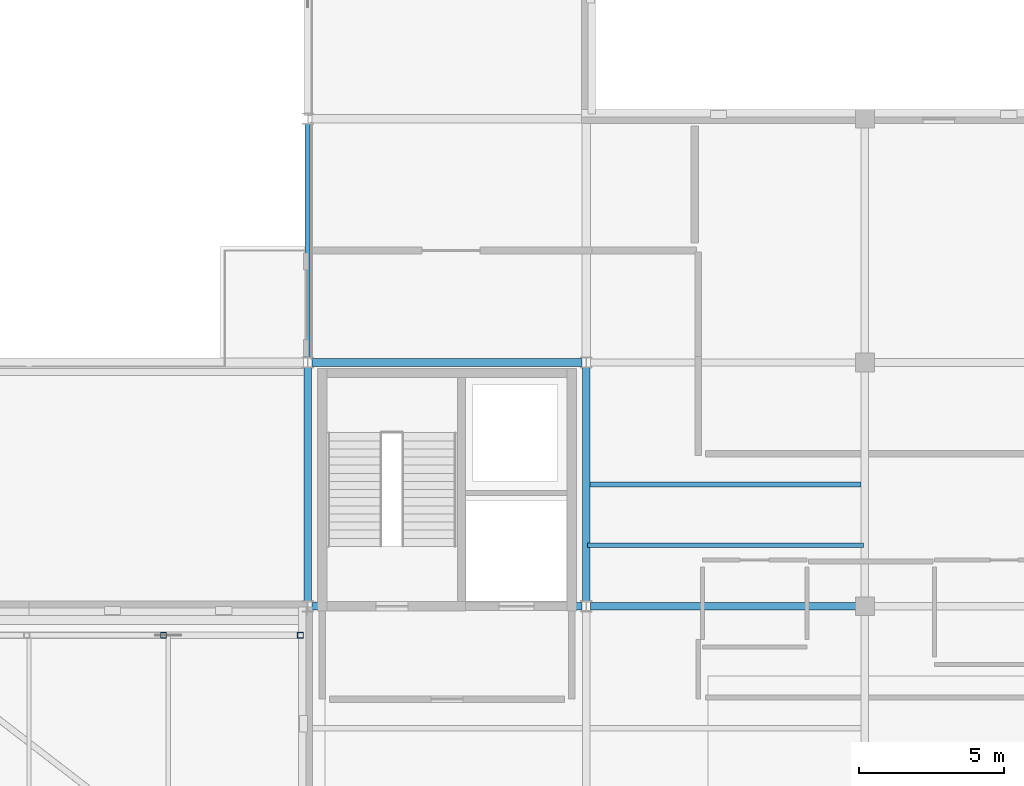
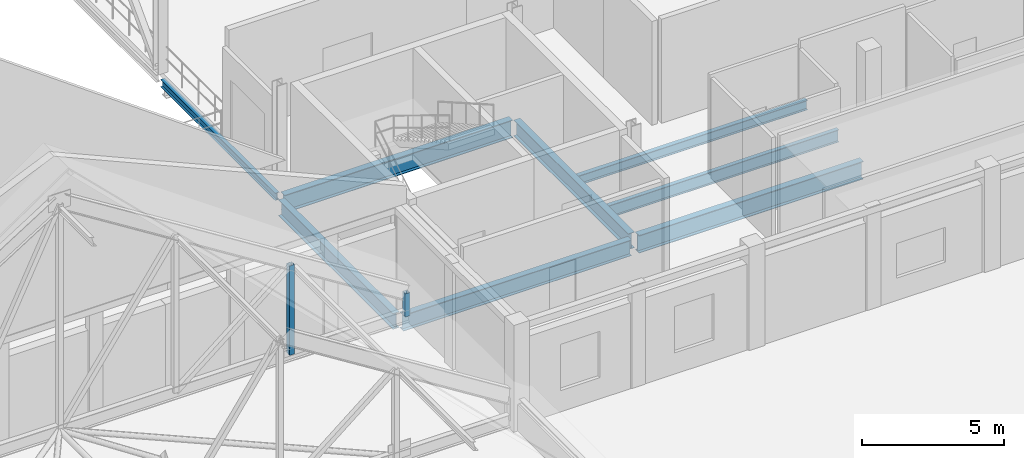
# One storey, part 15 of 26: 8 beams, 2 members.
"""IFC4 building model written with IfcOpenShell, lengths in metres."""

import ifcopenshell
import ifcopenshell.guid

model = None  # the IFC model being written
_history = None  # IfcOwnerHistory: only IFC2X3 demands one
_inside = {}  # id of a spatial element -> (the spatial element, [elements in it])
_under = {}  # id of a project, library or spatial element -> (it, [spatial elements below it])
_declared = {}  # id of a project -> (the project, [libraries it declares])
_typed = {}  # id of a type object -> (the type object, [elements of that type])
_made_of = {}  # id of a material, layer set ... -> (it, [elements and type objects made of it])


def new_model(schema):
    """Start an empty IFC model of exactly this schema.

    Asked for "IFC4X3", IfcOpenShell would pick the latest addendum, in which some entities
    have other attributes; the version numbers below select the first issue.
    IFC2X3 requires an IfcOwnerHistory on every rooted entity: one is made here for all.
    """
    global model, _history
    if schema == "IFC4X3":
        model = ifcopenshell.file(schema_version=(4, 3, 0, 0))
    else:
        model = ifcopenshell.file(schema=schema)
    _inside.clear()
    _under.clear()
    _declared.clear()
    _typed.clear()
    _made_of.clear()
    _history = None
    if model.schema == "IFC2X3":
        org = make("IfcOrganization", Name="unknown")
        user = make(
            "IfcPersonAndOrganization",
            ThePerson=make("IfcPerson", FamilyName="unknown"),
            TheOrganization=org,
        )
        app = make(
            "IfcApplication",
            ApplicationDeveloper=org,
            Version="unknown",
            ApplicationFullName="unknown",
            ApplicationIdentifier="unknown",
        )
        _history = make(
            "IfcOwnerHistory",
            OwningUser=user,
            OwningApplication=app,
            ChangeAction="ADDED",
            CreationDate=0,
        )
    return model


def make(cls, **values):
    """One entity of the class cls with the attributes given. An attribute that is None is left unset."""
    return model.create_entity(
        cls, **{name: value for name, value in values.items() if value is not None}
    )


def rooted(cls, **values):
    """An entity with a GlobalId (a new one), such as an element, a storey or a relation."""
    return make(cls, GlobalId=ifcopenshell.guid.new(), OwnerHistory=_history, **values)


def si_unit(unit_type, name, prefix=None):
    """IfcSIUnit, for example si_unit("LENGTHUNIT", "METRE", prefix="MILLI")."""
    return make("IfcSIUnit", UnitType=unit_type, Prefix=prefix, Name=name)


def assignment(units):
    """IfcUnitAssignment: the units of a project."""
    return None if units is None else make("IfcUnitAssignment", Units=units)


def point(xyz):
    """IfcCartesianPoint."""
    return None if xyz is None else make("IfcCartesianPoint", Coordinates=xyz)


def direction(xyz):
    """IfcDirection."""
    return None if xyz is None else make("IfcDirection", DirectionRatios=xyz)


def frame(location, z_axis=None, x_axis=None):
    """IfcAxis2Placement3D, a coordinate frame: its origin and axes. An axis left out is left unset."""
    return make(
        "IfcAxis2Placement3D",
        Location=point(location),
        Axis=direction(z_axis),
        RefDirection=direction(x_axis),
    )


def frame_2d(location, x_axis=None):
    """IfcAxis2Placement2D, a coordinate frame in the plane: its origin and x axis."""
    return make(
        "IfcAxis2Placement2D", Location=point(location), RefDirection=direction(x_axis)
    )


def origin():
    """The frame at (0, 0, 0) with its axes left unset."""
    return frame((0.0, 0.0, 0.0))


def origin_2d():
    """The frame at (0, 0) in the plane with its x axis left unset."""
    return frame_2d((0.0, 0.0))


def place(relative_to, where):
    """IfcLocalPlacement: puts the frame where relative to a parent placement (None: the world)."""
    return make(
        "IfcLocalPlacement", PlacementRelTo=relative_to, RelativePlacement=where
    )


def context(
    kind, dimensions, precision=None, world=None, true_north=None, identifier=None
):
    """IfcGeometricRepresentationContext, for example the 3D "Model" context."""
    return make(
        "IfcGeometricRepresentationContext",
        ContextIdentifier=identifier,
        ContextType=kind,
        CoordinateSpaceDimension=dimensions,
        Precision=precision,
        WorldCoordinateSystem=world,
        TrueNorth=true_north,
    )


def subcontext(parent, identifier, kind, view, scale=None):
    """IfcGeometricRepresentationSubContext, for example "Body" below "Model"."""
    return make(
        "IfcGeometricRepresentationSubContext",
        ContextIdentifier=identifier,
        ContextType=kind,
        ParentContext=parent,
        TargetScale=scale,
        TargetView=view,
    )


def project(units=None, contexts=None):
    """IfcProject with its units and contexts."""
    return rooted(
        "IfcProject",
        Name="project",
        RepresentationContexts=contexts,
        UnitsInContext=assignment(units),
    )


def spatial(cls, under=None, at=None, **own):
    """A site, building, storey or space (cls), placed at a placement, below another one or the project."""
    s = rooted(cls, ObjectPlacement=at, **own)
    if under is not None:
        _under.setdefault(under.id(), (under, []))[1].append(s)
    return s


def profile(cls, at=None, kind="AREA", **sizes):
    """A parametric profile (cls). Its sizes go by their IFC names, for example OverallWidth=200.0."""
    return make(cls, ProfileType=kind, Position=at, **sizes)


def hollow_rectangle(**sizes):
    """IfcRectangleHollowProfileDef."""
    return profile("IfcRectangleHollowProfileDef", **sizes)


def i_section(**sizes):
    """IfcIShapeProfileDef."""
    return profile("IfcIShapeProfileDef", **sizes)


def extrude(swept, where, along, depth):
    """IfcExtrudedAreaSolid: the profile swept, set in the frame where, extruded along a direction by depth."""
    return make(
        "IfcExtrudedAreaSolid",
        SweptArea=swept,
        Position=where,
        ExtrudedDirection=direction(along),
        Depth=depth,
    )


def shape(context_of_items, identifier, shape_type, items):
    """IfcShapeRepresentation: the items that make up one representation, for example the "Body"."""
    return make(
        "IfcShapeRepresentation",
        ContextOfItems=context_of_items,
        RepresentationIdentifier=identifier,
        RepresentationType=shape_type,
        Items=items,
    )


def material(Name=None, Category=None):
    """IfcMaterial."""
    return make("IfcMaterial", Name=Name, Category=Category)


def material_profile(
    of_material, cross_section, Name=None, Category=None, Priority=None
):
    """IfcMaterialProfile: a cross section and its material."""
    return make(
        "IfcMaterialProfile",
        Name=Name,
        Material=of_material,
        Profile=cross_section,
        Priority=Priority,
        Category=Category,
    )


def profile_set(profiles, Name=None, composite=None):
    """IfcMaterialProfileSet."""
    return make(
        "IfcMaterialProfileSet",
        Name=Name,
        MaterialProfiles=profiles,
        CompositeProfile=composite,
    )


def made_of(thing, what):
    """Note that an element or type object is made of a material, layer set ...; save() writes the relation."""
    if what is not None:
        _made_of.setdefault(what.id(), (what, []))[1].append(thing)
    return thing


def type_object(cls, material=None, **own):
    """A type object (cls), such as IfcWallType, which elements share."""
    return made_of(rooted(cls, **own), material)


def element(
    cls,
    number,
    at=None,
    inside=None,
    cuts=None,
    type_object=None,
    material=None,
    context=None,
    identifier="Body",
    shape_type=None,
    held_by="IfcProductDefinitionShape",
    body=None,
    shapes=None,
    **own,
):
    """One element of the class cls, such as IfcWall. Its Tag is "e" and its number.

    at: its placement. inside: the storey or other place that contains it. cuts: it is an
    opening in that element (IfcRelVoidsElement). A single representation is given by context,
    identifier, shape_type and body (its items); several are given by shapes. held_by: the class
    of the entity that holds the representations. save() writes the other relations.
    """
    e = rooted(cls, Tag="e%d" % number, ObjectPlacement=at, **own)
    if body is not None:
        shapes = [shape(context, identifier, shape_type, body)]
    if shapes is not None:
        e.Representation = make(held_by, Representations=shapes)
    if inside is not None:
        _inside.setdefault(inside.id(), (inside, []))[1].append(e)
    if cuts is not None:
        rooted(
            "IfcRelVoidsElement", RelatingBuildingElement=cuts, RelatedOpeningElement=e
        )
    if type_object is not None:
        _typed.setdefault(type_object.id(), (type_object, []))[1].append(e)
    return made_of(e, material)


def aggregate(whole, parts):
    """IfcRelAggregates: a whole, such as a stair, and the parts it consists of."""
    return rooted("IfcRelAggregates", RelatingObject=whole, RelatedObjects=parts)


def save(model, path):
    """Write the relations noted so far, then the file.

    IfcRelAggregates (storeys below a building ...), IfcRelContainedInSpatialStructure (elements
    in a storey), IfcRelDefinesByType, IfcRelAssociatesMaterial and IfcRelDeclares: one each for
    every whole, place, type object, material and project.
    """
    for whole, parts in _under.values():
        aggregate(whole, parts)
    for where, things in _inside.values():
        rooted(
            "IfcRelContainedInSpatialStructure",
            RelatedElements=things,
            RelatingStructure=where,
        )
    for kind, things in _typed.values():
        rooted("IfcRelDefinesByType", RelatedObjects=things, RelatingType=kind)
    for what, things in _made_of.values():
        rooted("IfcRelAssociatesMaterial", RelatedObjects=things, RelatingMaterial=what)
    for by, libraries in _declared.values():
        rooted("IfcRelDeclares", RelatingContext=by, RelatedDefinitions=libraries)
    model.write(path)


model = new_model("IFC4")

# Units and contexts
model_context = context("Model", 3, precision=1e-05, world=origin(), true_north=direction((0.0, 1.0)))
body_context = subcontext(model_context, "Body", "Model", "MODEL_VIEW")
ifc_project = project(units=[si_unit("LENGTHUNIT", "METRE"), si_unit("AREAUNIT", "SQUARE_METRE"), si_unit("VOLUMEUNIT", "CUBIC_METRE"), si_unit("PLANEANGLEUNIT", "RADIAN"), si_unit("MASSUNIT", "GRAM", prefix="KILO")], contexts=[model_context])

# Site, building, storey
site_placement = place(None, origin())
site = spatial("IfcSite", under=ifc_project, at=site_placement, CompositionType="ELEMENT")
building_placement = place(site_placement, origin())
building = spatial("IfcBuilding", under=site, at=building_placement, Name="Lornevale Opera House", CompositionType="ELEMENT")
storey_placement = place(building_placement, frame((0.0, 0.0, 19.800048828125)))
storey = spatial("IfcBuildingStorey", under=building, at=storey_placement, Name="L05", CompositionType="ELEMENT", Elevation=19.800048828125)

# Members
ifc_material = material(Name="Structural Steel CSA G40.21 Grade 350W (350 MPa)", Category="steel")
ifc_material_profile_1 = material_profile(ifc_material, hollow_rectangle(XDim=0.202880859375, YDim=0.202880859375, WallThickness=0.010986328125, at=origin_2d()), Name="HSS203x203x11")
ifc_profile_set_1 = profile_set([ifc_material_profile_1], Name="Structural Steel CSA G40.21 Grade 350W (350 MPa)")
member_type = type_object("IfcMemberType", Name="Auditorium Truss Web HSS203x203x11", PredefinedType="STRUT", material=ifc_profile_set_1)
member_1_placement = place(storey_placement, frame((95.75, 57.800048828125, 0.349853515625), z_axis=(0.0, 0.0, 1.0), x_axis=(1.0, 0.0, 0.0)))
element("IfcMember", 1, at=member_1_placement, inside=storey, type_object=member_type, Name="Auditorium Truss Web HSS203x203x11 0042", PredefinedType="STRUT", context=body_context, shape_type="SweptSolid", body=[
    extrude(hollow_rectangle(XDim=0.202880859375, YDim=0.202880859375, WallThickness=0.010986328125, at=origin_2d()), origin(), (0.0, 0.0, 1.0), 1.0),
])
member_2_placement = place(storey_placement, frame((91.033203125, 57.800048828125, 0.349853515625), z_axis=(0.0, 0.0, 1.0), x_axis=(1.0, 0.0, 0.0)))
element("IfcMember", 2, at=member_2_placement, inside=storey, type_object=member_type, Name="Auditorium Truss Web HSS203x203x11 0051", PredefinedType="STRUT", context=body_context, shape_type="SweptSolid", body=[
    extrude(hollow_rectangle(XDim=0.202880859375, YDim=0.202880859375, WallThickness=0.010986328125, at=origin_2d()), origin(), (0.0, 0.0, 1.0), 3.85791015625),
])

# Beams
ifc_material_profile_2 = material_profile(ifc_material, i_section(OverallWidth=0.166015625, OverallDepth=0.534912109375, WebThickness=0.01025390625, FlangeThickness=0.0166015625, at=origin_2d()), Name="W530x85")
ifc_profile_set_2 = profile_set([ifc_material_profile_2], Name="Structural Steel CSA G40.21 Grade 350W (350 MPa)")
beam_type_1 = type_object("IfcBeamType", Name="Stage Gallery Beam W530x85", PredefinedType="JOIST", material=ifc_profile_set_2)
beam_1_placement = place(storey_placement, frame((105.64990234375, 60.89990234375, -0.550048828125), z_axis=(1.0, 0.0, 0.0), x_axis=(0.0, 1.0, 0.0)))
element("IfcBeam", 3, at=beam_1_placement, inside=storey, type_object=beam_type_1, Name="Stage Gallery Beam W530x85 3056", PredefinedType="JOIST", context=body_context, shape_type="SweptSolid", body=[
    extrude(i_section(OverallWidth=0.166015625, OverallDepth=0.534912109375, WebThickness=0.01025390625, FlangeThickness=0.0166015625, at=origin_2d()), origin(), (0.0, 0.0, 1.0), 9.5),
])
ifc_material_profile_3 = material_profile(ifc_material, i_section(OverallWidth=0.179931640625, OverallDepth=0.4130859375, WebThickness=0.009765625, FlangeThickness=0.01611328125, at=origin_2d()), Name="W410x74")
ifc_profile_set_3 = profile_set([ifc_material_profile_3], Name="Structural Steel CSA G40.21 Grade 350W (350 MPa)")
beam_type_2 = type_object("IfcBeamType", Name="Steel Floor Joist W410x74", PredefinedType="JOIST", material=ifc_profile_set_3)
beam_2_placement = place(storey_placement, frame((105.72705078125, 63.0, -0.461669921875), z_axis=(1.0, 0.0, 0.0), x_axis=(0.0, 1.0, 0.0)))
element("IfcBeam", 4, at=beam_2_placement, inside=storey, type_object=beam_type_2, Name="Steel Floor Joist W410x74 2815", PredefinedType="JOIST", context=body_context, shape_type="SweptSolid", body=[
    extrude(i_section(OverallWidth=0.179931640625, OverallDepth=0.4130859375, WebThickness=0.009765625, FlangeThickness=0.01611328125, at=origin_2d()), origin(), (0.0, 0.0, 1.0), 9.345947265625),
])
ifc_material_profile_4 = material_profile(ifc_material, i_section(OverallWidth=0.25390625, OverallDepth=0.68798828125, WebThickness=0.01318359375, FlangeThickness=0.02099609375, at=origin_2d()), Name="W690x152")
ifc_profile_set_4 = profile_set([ifc_material_profile_4], Name="Structural Steel CSA G40.21 Grade 350W (350 MPa)")
beam_type_3 = type_object("IfcBeamType", Name="Steel Foyer Beam W690x152", PredefinedType="USERDEFINED", material=ifc_profile_set_4)
beam_3_placement = place(storey_placement, frame((96.1494140625, 58.800048828125, -0.678955078125), z_axis=(1.0, 0.0, 0.0), x_axis=(0.0, 1.0, 0.0)))
element("IfcBeam", 5, at=beam_3_placement, inside=storey, type_object=beam_type_3, Name="Steel Foyer Beam W690x152 2740", ObjectType="GIRDER", PredefinedType="USERDEFINED", context=body_context, shape_type="SweptSolid", body=[
    extrude(i_section(OverallWidth=0.25390625, OverallDepth=0.68798828125, WebThickness=0.01318359375, FlangeThickness=0.02099609375, at=origin_2d()), origin(), (0.0, 0.0, 1.0), 9.301025390625),
])
for number, where, z_axis, x_axis, name in (
    (6, (96.0, 58.949462890625, -0.678955078125), (0.0, 1.0, 0.0), (-1.0, 0.0, 0.0), "Steel Foyer Beam W690x152 2772"),
    (7, (105.60009765625, 58.949462890625, -0.59912109375), (0.0, 1.0, 0.0), (-1.0, 0.0, 0.0), "Steel Foyer Beam W690x152 2779"),
):
    element("IfcBeam", number, at=place(storey_placement, frame(where, z_axis=z_axis, x_axis=x_axis)), inside=storey, type_object=beam_type_3, Name=name, ObjectType="GIRDER", PredefinedType="USERDEFINED", context=body_context, shape_type="SweptSolid", body=[
        extrude(i_section(OverallWidth=0.25390625, OverallDepth=0.68798828125, WebThickness=0.01318359375, FlangeThickness=0.02099609375, at=origin_2d()), origin(), (0.0, 0.0, 1.0), 8.10107421875),
    ])
ifc_material_profile_5 = material_profile(ifc_material, i_section(OverallWidth=0.1669921875, OverallDepth=0.31689453125, WebThickness=0.007568359375, FlangeThickness=0.01318359375, at=origin_2d()), Name="W310x52")
ifc_profile_set_5 = profile_set([ifc_material_profile_5], Name="Structural Steel CSA G40.21 Grade 350W (350 MPa)")
beam_type_4 = type_object("IfcBeamType", Name="Steel Spandrel Beam W310x52", PredefinedType="SPANDREL", material=ifc_profile_set_5)
beam_4_placement = place(storey_placement, frame((96.0, 67.349609375, -0.41357421875), z_axis=(0.0, 1.0, 0.0), x_axis=(-1.0, 0.0, 0.0)))
element("IfcBeam", 8, at=beam_4_placement, inside=storey, type_object=beam_type_4, Name="Steel Spandrel Beam W310x52 2773", PredefinedType="SPANDREL", context=body_context, shape_type="SweptSolid", body=[
    extrude(i_section(OverallWidth=0.1669921875, OverallDepth=0.31689453125, WebThickness=0.007568359375, FlangeThickness=0.01318359375, at=origin_2d()), origin(), (0.0, 0.0, 1.0), 8.100830078125),
])
ifc_material_profile_6 = material_profile(ifc_material, i_section(OverallWidth=0.26708984375, OverallDepth=0.76611328125, WebThickness=0.014892578125, FlangeThickness=0.023681640625, at=origin_2d()), Name="W760x185")
ifc_profile_set_6 = profile_set([ifc_material_profile_6], Name="Structural Steel CSA G40.21 Grade 350W (350 MPa)")
beam_type_5 = type_object("IfcBeamType", Name="Steel Workshop Girder W760x185", PredefinedType="USERDEFINED", material=ifc_profile_set_6)
beam_5_placement = place(storey_placement, frame((105.74951171875, 58.800048828125, -0.637939453125), z_axis=(1.0, 0.0, 0.0), x_axis=(0.0, 1.0, 0.0)))
element("IfcBeam", 9, at=beam_5_placement, inside=storey, type_object=beam_type_5, Name="Steel Workshop Girder W760x185 2741", ObjectType="GIRDER", PredefinedType="USERDEFINED", context=body_context, shape_type="SweptSolid", body=[
    extrude(i_section(OverallWidth=0.26708984375, OverallDepth=0.76611328125, WebThickness=0.014892578125, FlangeThickness=0.023681640625, at=origin_2d()), origin(), (0.0, 0.0, 1.0), 9.150390625),
])
beam_6_placement = place(storey_placement, frame((96.1494140625, 67.199951171875, -0.637939453125), z_axis=(1.0, 0.0, 0.0), x_axis=(0.0, 1.0, 0.0)))
element("IfcBeam", 10, at=beam_6_placement, inside=storey, type_object=beam_type_5, Name="Steel Workshop Girder W760x185 2747", ObjectType="GIRDER", PredefinedType="USERDEFINED", context=body_context, shape_type="SweptSolid", body=[
    extrude(i_section(OverallWidth=0.26708984375, OverallDepth=0.76611328125, WebThickness=0.014892578125, FlangeThickness=0.023681640625, at=origin_2d()), origin(), (0.0, 0.0, 1.0), 9.301025390625),
])

save(model, "model.ifc")
